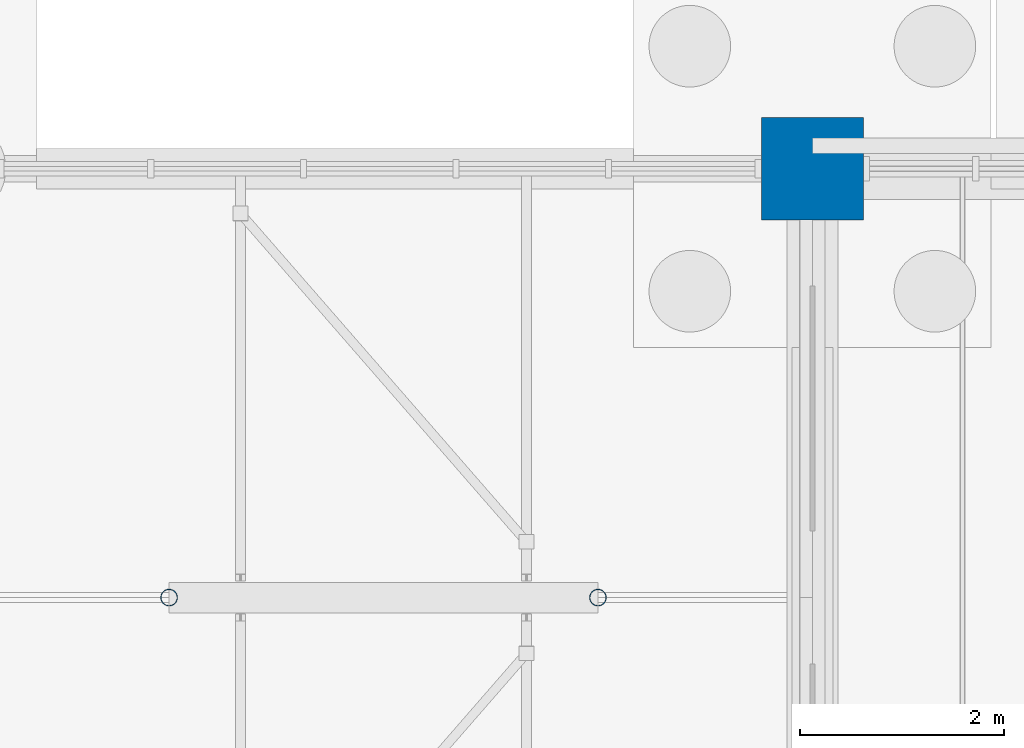
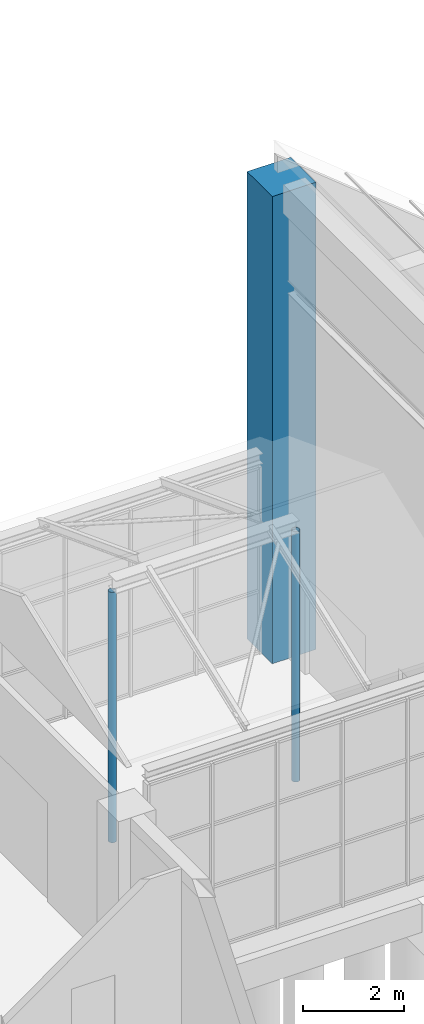
# One storey, part 16 of 138: 3 columns.
"""IFC4 building model written with IfcOpenShell, lengths in metres."""

from ifc_helpers import new_model, si_unit, direction, frame, origin, origin_2d, place, context, subcontext, project, spatial, rectangle, hollow_circle, extrude, material, material_profile, profile_set, type_object, element, save


model = new_model("IFC4")

# Units and contexts
model_context = context("Model", 3, precision=1e-05, world=origin(), true_north=direction((0.0, 1.0)))
body_context = subcontext(model_context, "Body", "Model", "MODEL_VIEW")
ifc_project = project(units=[si_unit("LENGTHUNIT", "METRE"), si_unit("AREAUNIT", "SQUARE_METRE"), si_unit("VOLUMEUNIT", "CUBIC_METRE"), si_unit("PLANEANGLEUNIT", "RADIAN"), si_unit("MASSUNIT", "GRAM", prefix="KILO")], contexts=[model_context])

# Site, building, storey
site_placement = place(None, origin())
site = spatial("IfcSite", under=ifc_project, at=site_placement, CompositionType="ELEMENT")
building_placement = place(site_placement, origin())
building = spatial("IfcBuilding", under=site, at=building_placement, Name="Yavir Park General Hospital", CompositionType="ELEMENT")
storey_placement = place(building_placement, origin())
storey = spatial("IfcBuildingStorey", under=building, at=storey_placement, Name="L00", CompositionType="ELEMENT", Elevation=0.0)

# Columns
ifc_material_1 = material(Name="Steel S355", Category="steel")
ifc_material_profile_1 = material_profile(ifc_material_1, hollow_circle(Radius=0.084228515625, WallThickness=0.008056640625, at=origin_2d()), Name="CHS168.3x8")
ifc_profile_set_1 = profile_set([ifc_material_profile_1], Name="Steel S355")
column_type_1 = type_object("IfcColumnType", Name="CHS 168.3x8 ridge post", PredefinedType="COLUMN", material=ifc_profile_set_1)
for number, where, z_axis, x_axis, name in (
    (1, (69.300048828125, 63.0, 0.0), (0.0, 0.0, 1.0), (1.0, 0.0, 0.0), "RF:LINK:frame:K:0"),
    (2, (73.5, 63.0, 0.0), (0.0, 0.0, 1.0), (1.0, 0.0, 0.0), "RF:LINK:frame:K:1"),
):
    element("IfcColumn", number, at=place(storey_placement, frame(where, z_axis=z_axis, x_axis=x_axis)), inside=storey, type_object=column_type_1, Name=name, PredefinedType="COLUMN", context=body_context, shape_type="SweptSolid", body=[
        extrude(hollow_circle(Radius=0.084228515625, WallThickness=0.008056640625, at=origin_2d()), origin(), (0.0, 0.0, 1.0), 6.05810546875),
    ])
ifc_material_2 = material(Name="Concrete C40/50", Category="concrete")
ifc_material_profile_2 = material_profile(ifc_material_2, rectangle(XDim=1.0, YDim=1.0, at=origin_2d()), Name="RC1000x1000")
ifc_profile_set_2 = profile_set([ifc_material_profile_2], Name="Concrete C40/50")
column_type_2 = type_object("IfcColumnType", Name="RC COLUMN 1000x1000", PredefinedType="COLUMN", material=ifc_profile_set_2)
column_placement = place(storey_placement, frame((75.60009765625, 67.199951171875, 0.0), z_axis=(0.0, 0.0, 1.0), x_axis=(1.0, 0.0, 0.0)))
element("IfcColumn", 3, at=column_placement, inside=storey, type_object=column_type_2, Name="C:L00:10J", PredefinedType="COLUMN", context=body_context, shape_type="SweptSolid", body=[
    extrude(rectangle(XDim=1.0, YDim=1.0, at=origin_2d()), origin(), (0.0, 0.0, 1.0), 11.31201171875),
])

save(model, "model.ifc")
